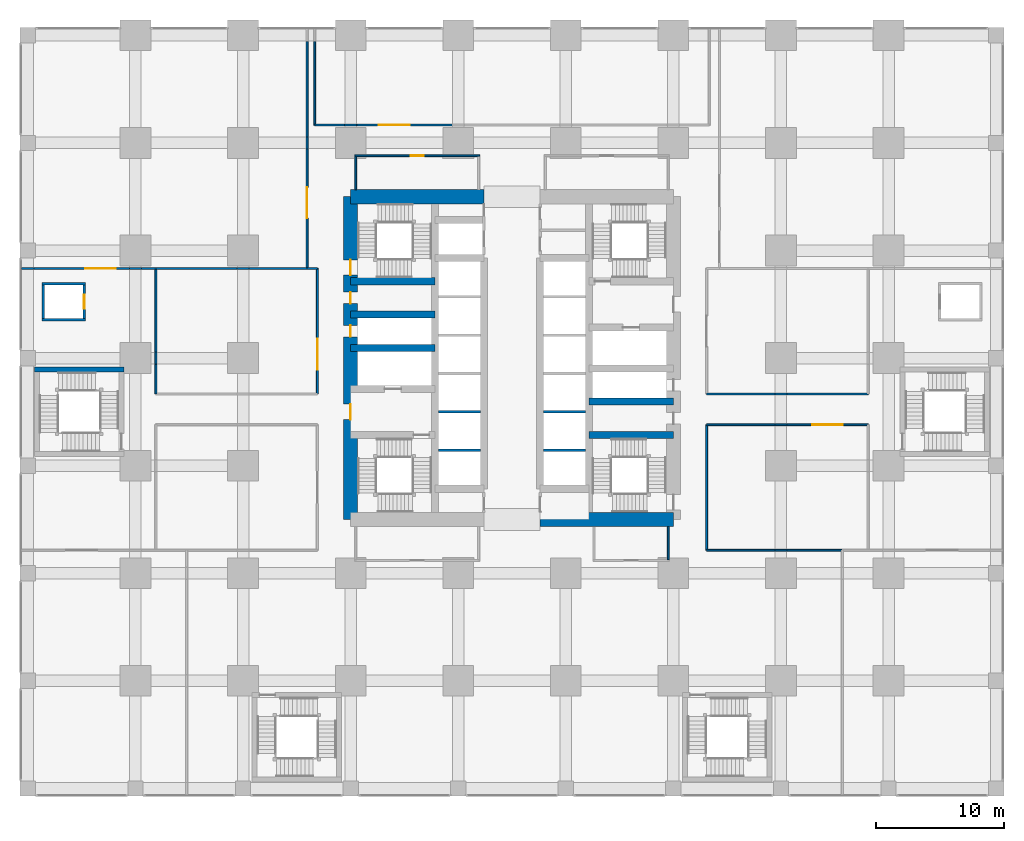
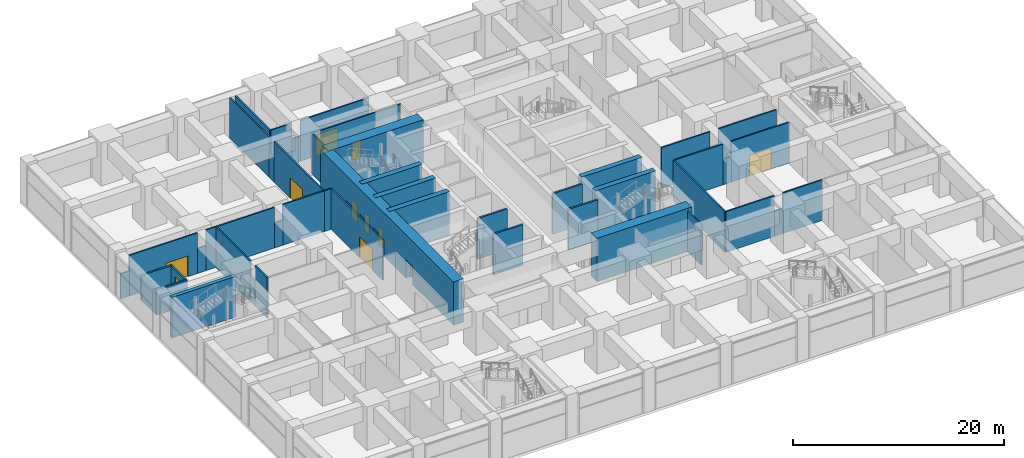
# One storey, part 37 of 49: 48 walls, 11 doors, 11 openings.
"""IFC4 building model written with IfcOpenShell, lengths in metres."""

import ifcopenshell
import ifcopenshell.guid

model = None  # the IFC model being written
_history = None  # IfcOwnerHistory: only IFC2X3 demands one
_inside = {}  # id of a spatial element -> (the spatial element, [elements in it])
_under = {}  # id of a project, library or spatial element -> (it, [spatial elements below it])
_declared = {}  # id of a project -> (the project, [libraries it declares])
_typed = {}  # id of a type object -> (the type object, [elements of that type])
_made_of = {}  # id of a material, layer set ... -> (it, [elements and type objects made of it])


def new_model(schema):
    """Start an empty IFC model of exactly this schema.

    Asked for "IFC4X3", IfcOpenShell would pick the latest addendum, in which some entities
    have other attributes; the version numbers below select the first issue.
    IFC2X3 requires an IfcOwnerHistory on every rooted entity: one is made here for all.
    """
    global model, _history
    if schema == "IFC4X3":
        model = ifcopenshell.file(schema_version=(4, 3, 0, 0))
    else:
        model = ifcopenshell.file(schema=schema)
    _inside.clear()
    _under.clear()
    _declared.clear()
    _typed.clear()
    _made_of.clear()
    _history = None
    if model.schema == "IFC2X3":
        org = make("IfcOrganization", Name="unknown")
        user = make(
            "IfcPersonAndOrganization",
            ThePerson=make("IfcPerson", FamilyName="unknown"),
            TheOrganization=org,
        )
        app = make(
            "IfcApplication",
            ApplicationDeveloper=org,
            Version="unknown",
            ApplicationFullName="unknown",
            ApplicationIdentifier="unknown",
        )
        _history = make(
            "IfcOwnerHistory",
            OwningUser=user,
            OwningApplication=app,
            ChangeAction="ADDED",
            CreationDate=0,
        )
    return model


def make(cls, **values):
    """One entity of the class cls with the attributes given. An attribute that is None is left unset."""
    return model.create_entity(
        cls, **{name: value for name, value in values.items() if value is not None}
    )


def rooted(cls, **values):
    """An entity with a GlobalId (a new one), such as an element, a storey or a relation."""
    return make(cls, GlobalId=ifcopenshell.guid.new(), OwnerHistory=_history, **values)


def si_unit(unit_type, name, prefix=None):
    """IfcSIUnit, for example si_unit("LENGTHUNIT", "METRE", prefix="MILLI")."""
    return make("IfcSIUnit", UnitType=unit_type, Prefix=prefix, Name=name)


def assignment(units):
    """IfcUnitAssignment: the units of a project."""
    return None if units is None else make("IfcUnitAssignment", Units=units)


def point(xyz):
    """IfcCartesianPoint."""
    return None if xyz is None else make("IfcCartesianPoint", Coordinates=xyz)


def direction(xyz):
    """IfcDirection."""
    return None if xyz is None else make("IfcDirection", DirectionRatios=xyz)


def frame(location, z_axis=None, x_axis=None):
    """IfcAxis2Placement3D, a coordinate frame: its origin and axes. An axis left out is left unset."""
    return make(
        "IfcAxis2Placement3D",
        Location=point(location),
        Axis=direction(z_axis),
        RefDirection=direction(x_axis),
    )


def frame_2d(location, x_axis=None):
    """IfcAxis2Placement2D, a coordinate frame in the plane: its origin and x axis."""
    return make(
        "IfcAxis2Placement2D", Location=point(location), RefDirection=direction(x_axis)
    )


def origin():
    """The frame at (0, 0, 0) with its axes left unset."""
    return frame((0.0, 0.0, 0.0))


def place(relative_to, where):
    """IfcLocalPlacement: puts the frame where relative to a parent placement (None: the world)."""
    return make(
        "IfcLocalPlacement", PlacementRelTo=relative_to, RelativePlacement=where
    )


def context(
    kind, dimensions, precision=None, world=None, true_north=None, identifier=None
):
    """IfcGeometricRepresentationContext, for example the 3D "Model" context."""
    return make(
        "IfcGeometricRepresentationContext",
        ContextIdentifier=identifier,
        ContextType=kind,
        CoordinateSpaceDimension=dimensions,
        Precision=precision,
        WorldCoordinateSystem=world,
        TrueNorth=true_north,
    )


def subcontext(parent, identifier, kind, view, scale=None):
    """IfcGeometricRepresentationSubContext, for example "Body" below "Model"."""
    return make(
        "IfcGeometricRepresentationSubContext",
        ContextIdentifier=identifier,
        ContextType=kind,
        ParentContext=parent,
        TargetScale=scale,
        TargetView=view,
    )


def project(units=None, contexts=None):
    """IfcProject with its units and contexts."""
    return rooted(
        "IfcProject",
        Name="project",
        RepresentationContexts=contexts,
        UnitsInContext=assignment(units),
    )


def spatial(cls, under=None, at=None, **own):
    """A site, building, storey or space (cls), placed at a placement, below another one or the project."""
    s = rooted(cls, ObjectPlacement=at, **own)
    if under is not None:
        _under.setdefault(under.id(), (under, []))[1].append(s)
    return s


def profile(cls, at=None, kind="AREA", **sizes):
    """A parametric profile (cls). Its sizes go by their IFC names, for example OverallWidth=200.0."""
    return make(cls, ProfileType=kind, Position=at, **sizes)


def rectangle(**sizes):
    """IfcRectangleProfileDef."""
    return profile("IfcRectangleProfileDef", **sizes)


def extrude(swept, where, along, depth):
    """IfcExtrudedAreaSolid: the profile swept, set in the frame where, extruded along a direction by depth."""
    return make(
        "IfcExtrudedAreaSolid",
        SweptArea=swept,
        Position=where,
        ExtrudedDirection=direction(along),
        Depth=depth,
    )


def shape(context_of_items, identifier, shape_type, items):
    """IfcShapeRepresentation: the items that make up one representation, for example the "Body"."""
    return make(
        "IfcShapeRepresentation",
        ContextOfItems=context_of_items,
        RepresentationIdentifier=identifier,
        RepresentationType=shape_type,
        Items=items,
    )


def material(Name=None, Category=None):
    """IfcMaterial."""
    return make("IfcMaterial", Name=Name, Category=Category)


def layer(
    of_material, thickness, ventilated=None, Name=None, Category=None, Priority=None
):
    """IfcMaterialLayer: one layer of a wall or slab, of a material (None: an air gap)."""
    return make(
        "IfcMaterialLayer",
        Material=of_material,
        LayerThickness=thickness,
        IsVentilated=ventilated,
        Name=Name,
        Category=Category,
        Priority=Priority,
    )


def layer_set(layers, Name=None):
    """IfcMaterialLayerSet."""
    return make("IfcMaterialLayerSet", MaterialLayers=layers, LayerSetName=Name)


def made_of(thing, what):
    """Note that an element or type object is made of a material, layer set ...; save() writes the relation."""
    if what is not None:
        _made_of.setdefault(what.id(), (what, []))[1].append(thing)
    return thing


def type_object(cls, material=None, **own):
    """A type object (cls), such as IfcWallType, which elements share."""
    return made_of(rooted(cls, **own), material)


def element(
    cls,
    number,
    at=None,
    inside=None,
    cuts=None,
    type_object=None,
    material=None,
    context=None,
    identifier="Body",
    shape_type=None,
    held_by="IfcProductDefinitionShape",
    body=None,
    shapes=None,
    **own,
):
    """One element of the class cls, such as IfcWall. Its Tag is "e" and its number.

    at: its placement. inside: the storey or other place that contains it. cuts: it is an
    opening in that element (IfcRelVoidsElement). A single representation is given by context,
    identifier, shape_type and body (its items); several are given by shapes. held_by: the class
    of the entity that holds the representations. save() writes the other relations.
    """
    e = rooted(cls, Tag="e%d" % number, ObjectPlacement=at, **own)
    if body is not None:
        shapes = [shape(context, identifier, shape_type, body)]
    if shapes is not None:
        e.Representation = make(held_by, Representations=shapes)
    if inside is not None:
        _inside.setdefault(inside.id(), (inside, []))[1].append(e)
    if cuts is not None:
        rooted(
            "IfcRelVoidsElement", RelatingBuildingElement=cuts, RelatedOpeningElement=e
        )
    if type_object is not None:
        _typed.setdefault(type_object.id(), (type_object, []))[1].append(e)
    return made_of(e, material)


def fill(opening, filler):
    """IfcRelFillsElement: the door or window that sits in an opening."""
    return rooted(
        "IfcRelFillsElement",
        RelatingOpeningElement=opening,
        RelatedBuildingElement=filler,
    )


def aggregate(whole, parts):
    """IfcRelAggregates: a whole, such as a stair, and the parts it consists of."""
    return rooted("IfcRelAggregates", RelatingObject=whole, RelatedObjects=parts)


def save(model, path):
    """Write the relations noted so far, then the file.

    IfcRelAggregates (storeys below a building ...), IfcRelContainedInSpatialStructure (elements
    in a storey), IfcRelDefinesByType, IfcRelAssociatesMaterial and IfcRelDeclares: one each for
    every whole, place, type object, material and project.
    """
    for whole, parts in _under.values():
        aggregate(whole, parts)
    for where, things in _inside.values():
        rooted(
            "IfcRelContainedInSpatialStructure",
            RelatedElements=things,
            RelatingStructure=where,
        )
    for kind, things in _typed.values():
        rooted("IfcRelDefinesByType", RelatedObjects=things, RelatingType=kind)
    for what, things in _made_of.values():
        rooted("IfcRelAssociatesMaterial", RelatedObjects=things, RelatingMaterial=what)
    for by, libraries in _declared.values():
        rooted("IfcRelDeclares", RelatingContext=by, RelatedDefinitions=libraries)
    model.write(path)


model = new_model("IFC4")

# Units and contexts
model_context = context("Model", 3, precision=1e-05, world=origin(), true_north=direction((0.0, 1.0)))
body_context = subcontext(model_context, "Body", "Model", "MODEL_VIEW")
ifc_project = project(units=[si_unit("LENGTHUNIT", "METRE"), si_unit("AREAUNIT", "SQUARE_METRE"), si_unit("VOLUMEUNIT", "CUBIC_METRE"), si_unit("PLANEANGLEUNIT", "RADIAN"), si_unit("MASSUNIT", "GRAM", prefix="KILO")], contexts=[model_context])

# Site, building, storey
site_placement = place(None, origin())
site = spatial("IfcSite", under=ifc_project, at=site_placement, CompositionType="ELEMENT")
building_placement = place(site_placement, origin())
building = spatial("IfcBuilding", under=site, at=building_placement, Name="Rekha Terrace Tower", CompositionType="ELEMENT")
storey_placement = place(building_placement, frame((0.0, 0.0, 10.39990234375)))
storey = spatial("IfcBuildingStorey", under=building, at=storey_placement, Name="L02", CompositionType="ELEMENT", Elevation=10.39990234375)

# Walls
ifc_material_1 = material(Name="Concrete M70", Category="concrete")
ifc_layer_1 = layer(ifc_material_1, 0.550048828125)
ifc_layer_set_1 = layer_set([ifc_layer_1], Name="Concrete M70")
wall_type_1 = type_object("IfcWallType", Name="CI1 550 core internal shear wall", PredefinedType="SHEAR", material=ifc_layer_set_1)
for number, where, z_axis, x_axis, name in (
    (1, (25.199951171875, 34.39990234375, 0.0), (0.0, 0.0, 1.0), (1.0, 0.0, 0.0), "Core wall Y344W L02"),
    (2, (25.199951171875, 37.0, 0.0), (0.0, 0.0, 1.0), (1.0, 0.0, 0.0), "Core wall Y370W L02"),
    (3, (25.199951171875, 39.60009765625, 0.0), (0.0, 0.0, 1.0), (1.0, 0.0, 0.0), "Core wall Y396W L02"),
):
    element("IfcWall", number, at=place(storey_placement, frame(where, z_axis=z_axis, x_axis=x_axis)), inside=storey, type_object=wall_type_1, Name=name, PredefinedType="SHEAR", context=body_context, shape_type="SweptSolid", body=[
        extrude(rectangle(XDim=6.60009765625, YDim=0.550048828125, at=frame_2d((3.300048828125, 0.0))), origin(), (0.0, 0.0, 1.0), 5.0),
    ])
for number, where, z_axis, x_axis, name in (
    (4, (43.800048828125, 27.60009765625, 0.0), (0.0, 0.0, 1.0), (1.0, 0.0, 0.0), "Core wall Y276E L02"),
    (5, (43.800048828125, 30.199951171875, 0.0), (0.0, 0.0, 1.0), (1.0, 0.0, 0.0), "Core wall Y302E L02"),
):
    element("IfcWall", number, at=place(storey_placement, frame(where, z_axis=z_axis, x_axis=x_axis)), inside=storey, type_object=wall_type_1, Name=name, PredefinedType="SHEAR", context=body_context, shape_type="SweptSolid", body=[
        extrude(rectangle(XDim=6.599853515625, YDim=0.550048828125, at=frame_2d((3.2998046875, 0.0))), origin(), (0.0, 0.0, 1.0), 5.0),
    ])
ifc_layer_2 = layer(ifc_material_1, 1.10009765625)
ifc_layer_set_2 = layer_set([ifc_layer_2], Name="Concrete M70")
wall_type_2 = type_object("IfcWallType", Name="SW1 1100 core outer shear wall", PredefinedType="SHEAR", material=ifc_layer_set_2)
wall_1_placement = place(storey_placement, frame((40.0, 21.0, 0.0), z_axis=(0.0, 0.0, 1.0), x_axis=(1.0, 0.0, 0.0)))
element("IfcWall", 6, at=wall_1_placement, inside=storey, type_object=wall_type_2, Name="Core wall S2 L02", PredefinedType="SHEAR", context=body_context, shape_type="SweptSolid", body=[
    extrude(rectangle(XDim=10.39990234375, YDim=1.10009765625, at=frame_2d((5.199951171875, 0.0))), origin(), (0.0, 0.0, 1.0), 5.0),
])
wall_2_placement = place(storey_placement, frame((25.199951171875, 46.199951171875, 0.0), z_axis=(0.0, 0.0, 1.0), x_axis=(1.0, 0.0, 0.0)))
element("IfcWall", 7, at=wall_2_placement, inside=storey, type_object=wall_type_2, Name="Core wall N1 L02", PredefinedType="SHEAR", context=body_context, shape_type="SweptSolid", body=[
    extrude(rectangle(XDim=10.400146484375, YDim=1.10009765625, at=frame_2d((5.2001953125, 0.0))), origin(), (0.0, 0.0, 1.0), 5.0),
])

# Wall, openings, doors
wall_3_placement = place(storey_placement, frame((25.199951171875, 21.0, 0.0), z_axis=(0.0, 0.0, 1.0), x_axis=(0.0, 1.0, 0.0)))
wall_3 = element("IfcWall", 8, at=wall_3_placement, inside=storey, type_object=wall_type_2, Name="Core wall W L02", PredefinedType="SHEAR", context=body_context, shape_type="SweptSolid", body=[
    extrude(rectangle(XDim=25.199951171875, YDim=1.10009765625, at=frame_2d((12.60009765625, 0.0))), origin(), (0.0, 0.0, 1.0), 5.0),
])
opening_1_placement = place(wall_3_placement, frame((7.800048828125, 0.0, 0.0)))
opening_1 = element("IfcOpeningElement", 9, at=opening_1_placement, cuts=wall_3, Name="Opening D2", PredefinedType="OPENING", context=body_context, shape_type="SweptSolid", body=[
    extrude(rectangle(XDim=1.199951171875, YDim=2.10009765625, at=frame_2d((0.60009765625, 1.050048828125))), frame((0.0, 0.56005859375, 0.0), z_axis=(0.0, -1.0, 0.0), x_axis=(1.0, 0.0, 0.0)), (0.0, 0.0, 1.0), 1.1201171875),
])
opening_2_placement = place(wall_3_placement, frame((14.25, 0.0, 0.0)))
opening_2 = element("IfcOpeningElement", 10, at=opening_2_placement, cuts=wall_3, Name="Opening D5", PredefinedType="OPENING", context=body_context, shape_type="SweptSolid", body=[
    extrude(rectangle(XDim=0.89990234375, YDim=2.10009765625, at=frame_2d((0.449951171875, 1.050048828125))), frame((0.0, 0.56005859375, 0.0), z_axis=(0.0, -1.0, 0.0), x_axis=(1.0, 0.0, 0.0)), (0.0, 0.0, 1.0), 1.1201171875),
])
opening_3_placement = place(wall_3_placement, frame((16.85009765625, 0.0, 0.0)))
opening_3 = element("IfcOpeningElement", 11, at=opening_3_placement, cuts=wall_3, Name="Opening D5", PredefinedType="OPENING", context=body_context, shape_type="SweptSolid", body=[
    extrude(rectangle(XDim=0.89990234375, YDim=2.10009765625, at=frame_2d((0.449951171875, 1.050048828125))), frame((0.0, 0.56005859375, 0.0), z_axis=(0.0, -1.0, 0.0), x_axis=(1.0, 0.0, 0.0)), (0.0, 0.0, 1.0), 1.1201171875),
])
opening_4_placement = place(wall_3_placement, frame((19.074951171875, 0.0, 0.0)))
opening_4 = element("IfcOpeningElement", 12, at=opening_4_placement, cuts=wall_3, Name="Opening D1", PredefinedType="OPENING", context=body_context, shape_type="SweptSolid", body=[
    extrude(rectangle(XDim=1.199951171875, YDim=2.10009765625, at=frame_2d((0.60009765625, 1.050048828125))), frame((0.0, 0.56005859375, 0.0), z_axis=(0.0, -1.0, 0.0), x_axis=(1.0, 0.0, 0.0)), (0.0, 0.0, 1.0), 1.1201171875),
])
ifc_material_2 = material(Name="Steel fire door", Category="steel")
door_type_1 = type_object("IfcDoorType", Name="D1 1200x2100 stair fire door", OperationType="SINGLE_SWING_RIGHT", PredefinedType="DOOR", material=ifc_material_2)
door_1_placement = place(opening_4_placement, origin())
door_1 = element("IfcDoor", 13, at=door_1_placement, inside=storey, type_object=door_type_1, Name="Stair ST4 door L02", OperationType="SINGLE_SWING_RIGHT", OverallHeight=2.10009765625, OverallWidth=1.199951171875, PredefinedType="DOOR", context=body_context, shape_type="SweptSolid", body=[
    extrude(rectangle(XDim=1.199951171875, YDim=2.10009765625, at=frame_2d((0.60009765625, 1.050048828125))), frame((0.0, 0.02490234375, 0.0), z_axis=(0.0, -1.0, 0.0), x_axis=(1.0, 0.0, 0.0)), (0.0, 0.0, 1.0), 0.050048828125),
])
fill(opening_4, door_1)
door_type_2 = type_object("IfcDoorType", Name="D2 1200x2100 firefighting lobby door", OperationType="SINGLE_SWING_LEFT", PredefinedType="DOOR", material=ifc_material_2)
door_2_placement = place(opening_1_placement, origin())
door_2 = element("IfcDoor", 14, at=door_2_placement, inside=storey, type_object=door_type_2, Name="Door flb1 L02", OperationType="SINGLE_SWING_LEFT", OverallHeight=2.10009765625, OverallWidth=1.199951171875, PredefinedType="DOOR", context=body_context, shape_type="SweptSolid", body=[
    extrude(rectangle(XDim=1.199951171875, YDim=2.10009765625, at=frame_2d((0.60009765625, 1.050048828125))), frame((0.0, 0.02490234375, 0.0), z_axis=(0.0, -1.0, 0.0), x_axis=(1.0, 0.0, 0.0)), (0.0, 0.0, 1.0), 0.050048828125),
])
fill(opening_1, door_2)
door_type_3 = type_object("IfcDoorType", Name="D5 900x2100 riser access door", OperationType="SINGLE_SWING_LEFT", PredefinedType="DOOR", material=ifc_material_2)
door_3_placement = place(opening_2_placement, origin())
door_3 = element("IfcDoor", 15, at=door_3_placement, inside=storey, type_object=door_type_3, Name="Door rs1 L02", OperationType="SINGLE_SWING_LEFT", OverallHeight=2.10009765625, OverallWidth=0.89990234375, PredefinedType="DOOR", context=body_context, shape_type="SweptSolid", body=[
    extrude(rectangle(XDim=0.89990234375, YDim=2.10009765625, at=frame_2d((0.449951171875, 1.050048828125))), frame((0.0, 0.02490234375, 0.0), z_axis=(0.0, -1.0, 0.0), x_axis=(1.0, 0.0, 0.0)), (0.0, 0.0, 1.0), 0.050048828125),
])
fill(opening_2, door_3)
door_4_placement = place(opening_3_placement, origin())
door_4 = element("IfcDoor", 16, at=door_4_placement, inside=storey, type_object=door_type_3, Name="Door elw L02", OperationType="SINGLE_SWING_LEFT", OverallHeight=2.10009765625, OverallWidth=0.89990234375, PredefinedType="DOOR", context=body_context, shape_type="SweptSolid", body=[
    extrude(rectangle(XDim=0.89990234375, YDim=2.10009765625, at=frame_2d((0.449951171875, 1.050048828125))), frame((0.0, 0.02490234375, 0.0), z_axis=(0.0, -1.0, 0.0), x_axis=(1.0, 0.0, 0.0)), (0.0, 0.0, 1.0), 0.050048828125),
])
fill(opening_3, door_4)

# Wall, opening, door
ifc_material_3 = material(Name="Concrete block masonry, 1 hour", Category="masonry")
ifc_layer_3 = layer(ifc_material_3, 0.14990234375)
ifc_layer_set_3 = layer_set([ifc_layer_3], Name="Concrete block masonry, 1 hour")
wall_type_3 = type_object("IfcWallType", Name="WP2 150 tenancy partition", PredefinedType="PARTITIONING", material=ifc_layer_set_3)
wall_4_placement = place(storey_placement, frame((25.52490234375, 49.39990234375, 0.0), z_axis=(0.0, 0.0, 1.0), x_axis=(1.0, 0.0, 0.0)))
wall_4 = element("IfcWall", 17, at=wall_4_placement, inside=storey, type_object=wall_type_3, Name="Women's WC wall L02", PredefinedType="PARTITIONING", context=body_context, shape_type="SweptSolid", body=[
    extrude(rectangle(XDim=9.75, YDim=0.14990234375, at=frame_2d((4.875, 0.0))), origin(), (0.0, 0.0, 1.0), 4.7001953125),
])
opening_5_placement = place(wall_4_placement, frame((4.375, 0.0, 0.0)))
opening_5 = element("IfcOpeningElement", 18, at=opening_5_placement, cuts=wall_4, Name="Opening D3", PredefinedType="OPENING", context=body_context, shape_type="SweptSolid", body=[
    extrude(rectangle(XDim=1.0, YDim=2.10009765625, at=frame_2d((0.5, 1.050048828125))), frame((0.0, 0.0849609375, 0.0), z_axis=(0.0, -1.0, 0.0), x_axis=(1.0, 0.0, 0.0)), (0.0, 0.0, 1.0), 0.169921875),
])
ifc_material_4 = material(Name="Laminated timber fire door", Category="wood")
door_type_4 = type_object("IfcDoorType", Name="D3 1000x2100 WC door", OperationType="SINGLE_SWING_LEFT", PredefinedType="DOOR", material=ifc_material_4)
door_5_placement = place(opening_5_placement, origin())
door_5 = element("IfcDoor", 19, at=door_5_placement, inside=storey, type_object=door_type_4, Name="Door women's wc L02", OperationType="SINGLE_SWING_LEFT", OverallHeight=2.10009765625, OverallWidth=1.0, PredefinedType="DOOR", context=body_context, shape_type="SweptSolid", body=[
    extrude(rectangle(XDim=1.0, YDim=2.10009765625, at=frame_2d((0.5, 1.050048828125))), frame((0.0, 0.02490234375, 0.0), z_axis=(0.0, -1.0, 0.0), x_axis=(1.0, 0.0, 0.0)), (0.0, 0.0, 1.0), 0.050048828125),
])
fill(opening_5, door_5)

# Walls
for number, where, z_axis, x_axis, name in (
    (20, (25.60009765625, 46.75, 0.0), (0.0, 0.0, 1.0), (0.0, 1.0, 0.0), "Women's WC wall L02"),
    (21, (50.0, 17.875, 0.0), (0.0, 0.0, 1.0), (0.0, 1.0, 0.0), "Men's WC wall L02"),
):
    element("IfcWall", number, at=place(storey_placement, frame(where, z_axis=z_axis, x_axis=x_axis)), inside=storey, type_object=wall_type_3, Name=name, PredefinedType="PARTITIONING", context=body_context, shape_type="SweptSolid", body=[
        extrude(rectangle(XDim=2.574951171875, YDim=0.14990234375, at=frame_2d((1.28759765625, 0.0))), origin(), (0.0, 0.0, 1.0), 4.7001953125),
    ])
wall_5_placement = place(storey_placement, frame((21.800048828125, 58.340087890625, 0.0), z_axis=(0.0, 0.0, 1.0), x_axis=(0.0, -1.0, 0.0)))
element("IfcWall", 22, at=wall_5_placement, inside=storey, type_object=wall_type_3, Name="Partition L02-02", PredefinedType="PARTITIONING", context=body_context, shape_type="SweptSolid", body=[
    extrude(rectangle(XDim=7.47998046875, YDim=0.14990234375, at=frame_2d((3.739990234375, 0.0))), origin(), (0.0, 0.0, 1.0), 4.7001953125),
])
wall_6_placement = place(storey_placement, frame((21.800048828125, 50.860107421875, 0.0), z_axis=(0.0, 0.0, 1.0), x_axis=(0.0, -1.0, 0.0)))
element("IfcWall", 23, at=wall_6_placement, inside=storey, type_object=wall_type_3, Name="Partition L02-02", PredefinedType="PARTITIONING", context=body_context, shape_type="SweptSolid", body=[
    extrude(rectangle(XDim=0.920166015625, YDim=0.14990234375, at=frame_2d((0.4599609375, 0.0))), origin(), (0.0, 0.0, 1.0), 2.900146484375),
])

# Wall, opening, door
wall_7_placement = place(storey_placement, frame((21.800048828125, 49.93994140625, 0.0), z_axis=(0.0, 0.0, 1.0), x_axis=(0.0, -1.0, 0.0)))
wall_7 = element("IfcWall", 24, at=wall_7_placement, inside=storey, type_object=wall_type_3, Name="Partition L02-02", PredefinedType="PARTITIONING", context=body_context, shape_type="SweptSolid", body=[
    extrude(rectangle(XDim=9.33984375, YDim=0.14990234375, at=frame_2d((4.669921875, 0.0))), origin(), (0.0, 0.0, 1.0), 4.7001953125),
])
opening_6_placement = place(wall_7_placement, frame((3.0048828125, 0.0, 0.0)))
opening_6 = element("IfcOpeningElement", 25, at=opening_6_placement, cuts=wall_7, Name="Opening D7", PredefinedType="OPENING", context=body_context, shape_type="SweptSolid", body=[
    extrude(rectangle(XDim=2.39990234375, YDim=2.39990234375, at=frame_2d((1.199951171875, 1.199951171875))), frame((0.0, 0.0849609375, 0.0), z_axis=(0.0, -1.0, 0.0), x_axis=(1.0, 0.0, 0.0)), (0.0, 0.0, 1.0), 0.169921875),
])
ifc_material_5 = material(Name="Glazed aluminium door", Category="aluminium")
door_type_5 = type_object("IfcDoorType", Name="D7 2400x2400 shopfront double door", OperationType="DOUBLE_DOOR_SINGLE_SWING", PredefinedType="DOOR", material=ifc_material_5)
door_6_placement = place(opening_6_placement, origin())
door_6 = element("IfcDoor", 26, at=door_6_placement, inside=storey, type_object=door_type_5, Name="Door retail unit 9 L02", OperationType="DOUBLE_DOOR_SINGLE_SWING", OverallHeight=2.39990234375, OverallWidth=2.39990234375, PredefinedType="DOOR", context=body_context, shape_type="SweptSolid", body=[
    extrude(rectangle(XDim=2.39990234375, YDim=2.39990234375, at=frame_2d((1.199951171875, 1.199951171875))), frame((0.0, 0.02490234375, 0.0), z_axis=(0.0, -1.0, 0.0), x_axis=(1.0, 0.0, 0.0)), (0.0, 0.0, 1.0), 0.050048828125),
])
fill(opening_6, door_6)

# Walls
wall_8_placement = place(storey_placement, frame((21.800048828125, 40.60009765625, 0.0), z_axis=(0.0, 0.0, 1.0), x_axis=(-1.0, 0.0, 0.0)))
element("IfcWall", 27, at=wall_8_placement, inside=storey, type_object=wall_type_3, Name="Partition L02-02", PredefinedType="PARTITIONING", context=body_context, shape_type="SweptSolid", body=[
    extrude(rectangle(XDim=4.5400390625, YDim=0.14990234375, at=frame_2d((2.27001953125, 0.0))), origin(), (0.0, 0.0, 1.0), 4.7001953125),
])
wall_9_placement = place(storey_placement, frame((17.260009765625, 40.60009765625, 0.0), z_axis=(0.0, 0.0, 1.0), x_axis=(-1.0, 0.0, 0.0)))
element("IfcWall", 28, at=wall_9_placement, inside=storey, type_object=wall_type_3, Name="Partition L02-02", PredefinedType="PARTITIONING", context=body_context, shape_type="SweptSolid", body=[
    extrude(rectangle(XDim=0.919921875, YDim=0.14990234375, at=frame_2d((0.4599609375, 0.0))), origin(), (0.0, 0.0, 1.0), 2.900146484375),
])
wall_10_placement = place(storey_placement, frame((16.340087890625, 40.60009765625, 0.0), z_axis=(0.0, 0.0, 1.0), x_axis=(-1.0, 0.0, 0.0)))
element("IfcWall", 29, at=wall_10_placement, inside=storey, type_object=wall_type_3, Name="Partition L02-02", PredefinedType="PARTITIONING", context=body_context, shape_type="SweptSolid", body=[
    extrude(rectangle(XDim=7.47998046875, YDim=0.14990234375, at=frame_2d((3.739990234375, 0.0))), origin(), (0.0, 0.0, 1.0), 4.7001953125),
])
wall_11_placement = place(storey_placement, frame((8.860107421875, 40.60009765625, 0.0), z_axis=(0.0, 0.0, 1.0), x_axis=(-1.0, 0.0, 0.0)))
element("IfcWall", 30, at=wall_11_placement, inside=storey, type_object=wall_type_3, Name="Partition L02-02", PredefinedType="PARTITIONING", context=body_context, shape_type="SweptSolid", body=[
    extrude(rectangle(XDim=0.920166015625, YDim=0.14990234375, at=frame_2d((0.4599609375, 0.0))), origin(), (0.0, 0.0, 1.0), 2.900146484375),
])

# Wall, opening, door
wall_12_placement = place(storey_placement, frame((7.93994140625, 40.60009765625, 0.0), z_axis=(0.0, 0.0, 1.0), x_axis=(-1.0, 0.0, 0.0)))
wall_12 = element("IfcWall", 31, at=wall_12_placement, inside=storey, type_object=wall_type_3, Name="Partition L02-02", PredefinedType="PARTITIONING", context=body_context, shape_type="SweptSolid", body=[
    extrude(rectangle(XDim=7.47998046875, YDim=0.14990234375, at=frame_2d((3.739990234375, 0.0))), origin(), (0.0, 0.0, 1.0), 4.7001953125),
])
opening_7_placement = place(wall_12_placement, frame((1.074951171875, 0.0, 0.0)))
opening_7 = element("IfcOpeningElement", 32, at=opening_7_placement, cuts=wall_12, Name="Opening D7", PredefinedType="OPENING", context=body_context, shape_type="SweptSolid", body=[
    extrude(rectangle(XDim=2.39990234375, YDim=2.39990234375, at=frame_2d((1.199951171875, 1.199951171875))), frame((0.0, 0.0849609375, 0.0), z_axis=(0.0, -1.0, 0.0), x_axis=(1.0, 0.0, 0.0)), (0.0, 0.0, 1.0), 0.169921875),
])
door_7_placement = place(opening_7_placement, origin())
door_7 = element("IfcDoor", 33, at=door_7_placement, inside=storey, type_object=door_type_5, Name="Door retail unit 9 L02", OperationType="DOUBLE_DOOR_SINGLE_SWING", OverallHeight=2.39990234375, OverallWidth=2.39990234375, PredefinedType="DOOR", context=body_context, shape_type="SweptSolid", body=[
    extrude(rectangle(XDim=2.39990234375, YDim=2.39990234375, at=frame_2d((1.199951171875, 1.199951171875))), frame((0.0, 0.02490234375, 0.0), z_axis=(0.0, -1.0, 0.0), x_axis=(1.0, 0.0, 0.0)), (0.0, 0.0, 1.0), 0.050048828125),
])
fill(opening_7, door_7)

# Wall
wall_13_placement = place(storey_placement, frame((0.4599609375, 40.60009765625, 0.0), z_axis=(0.0, 0.0, 1.0), x_axis=(-1.0, 0.0, 0.0)))
element("IfcWall", 34, at=wall_13_placement, inside=storey, type_object=wall_type_3, Name="Partition L02-02", PredefinedType="PARTITIONING", context=body_context, shape_type="SweptSolid", body=[
    extrude(rectangle(XDim=0.949951171875, YDim=0.14990234375, at=frame_2d((0.47509765625, 0.0))), origin(), (0.0, 0.0, 1.0), 2.900146484375),
])

# Wall, opening, door
wall_14_placement = place(storey_placement, frame((33.139892578125, 51.800048828125, 0.0), z_axis=(0.0, 0.0, 1.0), x_axis=(-1.0, 0.0, 0.0)))
wall_14 = element("IfcWall", 35, at=wall_14_placement, inside=storey, type_object=wall_type_3, Name="Partition L02-06", PredefinedType="PARTITIONING", context=body_context, shape_type="SweptSolid", body=[
    extrude(rectangle(XDim=7.47998046875, YDim=0.14990234375, at=frame_2d((3.739990234375, 0.0))), origin(), (0.0, 0.0, 1.0), 4.7001953125),
])
opening_8_placement = place(wall_14_placement, frame((3.340087890625, 0.0, 0.0)))
opening_8 = element("IfcOpeningElement", 36, at=opening_8_placement, cuts=wall_14, Name="Opening D7", PredefinedType="OPENING", context=body_context, shape_type="SweptSolid", body=[
    extrude(rectangle(XDim=2.39990234375, YDim=2.39990234375, at=frame_2d((1.199951171875, 1.199951171875))), frame((0.0, 0.0849609375, 0.0), z_axis=(0.0, -1.0, 0.0), x_axis=(1.0, 0.0, 0.0)), (0.0, 0.0, 1.0), 0.169921875),
])
door_8_placement = place(opening_8_placement, origin())
door_8 = element("IfcDoor", 37, at=door_8_placement, inside=storey, type_object=door_type_5, Name="Door retail unit 13 L02", OperationType="DOUBLE_DOOR_SINGLE_SWING", OverallHeight=2.39990234375, OverallWidth=2.39990234375, PredefinedType="DOOR", context=body_context, shape_type="SweptSolid", body=[
    extrude(rectangle(XDim=2.39990234375, YDim=2.39990234375, at=frame_2d((1.199951171875, 1.199951171875))), frame((0.0, 0.02490234375, 0.0), z_axis=(0.0, -1.0, 0.0), x_axis=(1.0, 0.0, 0.0)), (0.0, 0.0, 1.0), 0.050048828125),
])
fill(opening_8, door_8)

# Walls
wall_15_placement = place(storey_placement, frame((25.659912109375, 51.800048828125, 0.0), z_axis=(0.0, 0.0, 1.0), x_axis=(-1.0, 0.0, 0.0)))
element("IfcWall", 38, at=wall_15_placement, inside=storey, type_object=wall_type_3, Name="Partition L02-06", PredefinedType="PARTITIONING", context=body_context, shape_type="SweptSolid", body=[
    extrude(rectangle(XDim=0.919921875, YDim=0.14990234375, at=frame_2d((0.4599609375, 0.0))), origin(), (0.0, 0.0, 1.0), 2.900146484375),
])
wall_16_placement = place(storey_placement, frame((24.739990234375, 51.800048828125, 0.0), z_axis=(0.0, 0.0, 1.0), x_axis=(-1.0, 0.0, 0.0)))
element("IfcWall", 39, at=wall_16_placement, inside=storey, type_object=wall_type_3, Name="Partition L02-06", PredefinedType="PARTITIONING", context=body_context, shape_type="SweptSolid", body=[
    extrude(rectangle(XDim=2.340087890625, YDim=0.14990234375, at=frame_2d((1.169921875, 0.0))), origin(), (0.0, 0.0, 1.0), 4.7001953125),
])
wall_17_placement = place(storey_placement, frame((22.39990234375, 51.800048828125, 0.0), z_axis=(0.0, 0.0, 1.0), x_axis=(0.0, 1.0, 0.0)))
element("IfcWall", 40, at=wall_17_placement, inside=storey, type_object=wall_type_3, Name="Partition L02-06", PredefinedType="PARTITIONING", context=body_context, shape_type="SweptSolid", body=[
    extrude(rectangle(XDim=6.5400390625, YDim=0.14990234375, at=frame_2d((3.27001953125, 0.0))), origin(), (0.0, 0.0, 1.0), 4.7001953125),
])

# Wall, opening, door
wall_18_placement = place(storey_placement, frame((22.60009765625, 40.60009765625, 0.0), z_axis=(0.0, 0.0, 1.0), x_axis=(0.0, -1.0, 0.0)))
wall_18 = element("IfcWall", 41, at=wall_18_placement, inside=storey, type_object=wall_type_3, Name="Partition L02-08", PredefinedType="PARTITIONING", context=body_context, shape_type="SweptSolid", body=[
    extrude(rectangle(XDim=9.800048828125, YDim=0.14990234375, at=frame_2d((4.89990234375, 0.0))), origin(), (0.0, 0.0, 1.0), 4.7001953125),
])
opening_9_placement = place(wall_18_placement, frame((5.5, 0.0, 0.0)))
opening_9 = element("IfcOpeningElement", 42, at=opening_9_placement, cuts=wall_18, Name="Opening D7", PredefinedType="OPENING", context=body_context, shape_type="SweptSolid", body=[
    extrude(rectangle(XDim=2.39990234375, YDim=2.39990234375, at=frame_2d((1.199951171875, 1.199951171875))), frame((0.0, 0.0849609375, 0.0), z_axis=(0.0, -1.0, 0.0), x_axis=(1.0, 0.0, 0.0)), (0.0, 0.0, 1.0), 0.169921875),
])
door_9_placement = place(opening_9_placement, origin())
door_9 = element("IfcDoor", 43, at=door_9_placement, inside=storey, type_object=door_type_5, Name="Door retail kiosk 4 L02", OperationType="DOUBLE_DOOR_SINGLE_SWING", OverallHeight=2.39990234375, OverallWidth=2.39990234375, PredefinedType="DOOR", context=body_context, shape_type="SweptSolid", body=[
    extrude(rectangle(XDim=2.39990234375, YDim=2.39990234375, at=frame_2d((1.199951171875, 1.199951171875))), frame((0.0, 0.02490234375, 0.0), z_axis=(0.0, -1.0, 0.0), x_axis=(1.0, 0.0, 0.0)), (0.0, 0.0, 1.0), 0.050048828125),
])
fill(opening_9, door_9)

# Walls
wall_19_placement = place(storey_placement, frame((10.0, 30.800048828125, 0.0), z_axis=(0.0, 0.0, 1.0), x_axis=(0.0, 1.0, 0.0)))
element("IfcWall", 44, at=wall_19_placement, inside=storey, type_object=wall_type_3, Name="Partition L02-08", PredefinedType="PARTITIONING", context=body_context, shape_type="SweptSolid", body=[
    extrude(rectangle(XDim=2.33984375, YDim=0.14990234375, at=frame_2d((1.169921875, 0.0))), origin(), (0.0, 0.0, 1.0), 4.7001953125),
])
wall_20_placement = place(storey_placement, frame((10.0, 33.139892578125, 0.0), z_axis=(0.0, 0.0, 1.0), x_axis=(0.0, 1.0, 0.0)))
element("IfcWall", 45, at=wall_20_placement, inside=storey, type_object=wall_type_3, Name="Partition L02-08", PredefinedType="PARTITIONING", context=body_context, shape_type="SweptSolid", body=[
    extrude(rectangle(XDim=0.920166015625, YDim=0.14990234375, at=frame_2d((0.4599609375, 0.0))), origin(), (0.0, 0.0, 1.0), 2.900146484375),
])
wall_21_placement = place(storey_placement, frame((10.0, 34.06005859375, 0.0), z_axis=(0.0, 0.0, 1.0), x_axis=(0.0, 1.0, 0.0)))
element("IfcWall", 46, at=wall_21_placement, inside=storey, type_object=wall_type_3, Name="Partition L02-08", PredefinedType="PARTITIONING", context=body_context, shape_type="SweptSolid", body=[
    extrude(rectangle(XDim=6.46484375, YDim=0.14990234375, at=frame_2d((3.232421875, 0.0))), origin(), (0.0, 0.0, 1.0), 4.7001953125),
])
wall_22_placement = place(storey_placement, frame((21.800048828125, 40.60009765625, 0.0), z_axis=(0.0, 0.0, 1.0), x_axis=(1.0, 0.0, 0.0)))
element("IfcWall", 47, at=wall_22_placement, inside=storey, type_object=wall_type_3, Name="Partition L02-08", PredefinedType="PARTITIONING", context=body_context, shape_type="SweptSolid", body=[
    extrude(rectangle(XDim=0.800048828125, YDim=0.14990234375, at=frame_2d((0.39990234375, 0.0))), origin(), (0.0, 0.0, 1.0), 4.7001953125),
])
wall_23_placement = place(storey_placement, frame((53.0, 18.60009765625, 0.0), z_axis=(0.0, 0.0, 1.0), x_axis=(0.0, 1.0, 0.0)))
element("IfcWall", 48, at=wall_23_placement, inside=storey, type_object=wall_type_3, Name="Partition L02-09", PredefinedType="PARTITIONING", context=body_context, shape_type="SweptSolid", body=[
    extrude(rectangle(XDim=9.7998046875, YDim=0.14990234375, at=frame_2d((4.89990234375, 0.0))), origin(), (0.0, 0.0, 1.0), 4.7001953125),
])
wall_24_placement = place(storey_placement, frame((53.0, 28.39990234375, 0.0), z_axis=(0.0, 0.0, 1.0), x_axis=(1.0, 0.0, 0.0)))
element("IfcWall", 49, at=wall_24_placement, inside=storey, type_object=wall_type_3, Name="Partition L02-09", PredefinedType="PARTITIONING", context=body_context, shape_type="SweptSolid", body=[
    extrude(rectangle(XDim=5.340087890625, YDim=0.14990234375, at=frame_2d((2.669921875, 0.0))), origin(), (0.0, 0.0, 1.0), 4.7001953125),
])
wall_25_placement = place(storey_placement, frame((58.340087890625, 28.39990234375, 0.0), z_axis=(0.0, 0.0, 1.0), x_axis=(1.0, 0.0, 0.0)))
element("IfcWall", 50, at=wall_25_placement, inside=storey, type_object=wall_type_3, Name="Partition L02-09", PredefinedType="PARTITIONING", context=body_context, shape_type="SweptSolid", body=[
    extrude(rectangle(XDim=0.919921875, YDim=0.14990234375, at=frame_2d((0.4599609375, 0.0))), origin(), (0.0, 0.0, 1.0), 2.900146484375),
])

# Wall, opening, door
wall_26_placement = place(storey_placement, frame((59.260009765625, 28.39990234375, 0.0), z_axis=(0.0, 0.0, 1.0), x_axis=(1.0, 0.0, 0.0)))
wall_26 = element("IfcWall", 51, at=wall_26_placement, inside=storey, type_object=wall_type_3, Name="Partition L02-09", PredefinedType="PARTITIONING", context=body_context, shape_type="SweptSolid", body=[
    extrude(rectangle(XDim=6.340087890625, YDim=0.14990234375, at=frame_2d((3.169921875, 0.0))), origin(), (0.0, 0.0, 1.0), 4.7001953125),
])
opening_10_placement = place(wall_26_placement, frame((1.969970703125, 0.0, 0.0)))
opening_10 = element("IfcOpeningElement", 52, at=opening_10_placement, cuts=wall_26, Name="Opening D7", PredefinedType="OPENING", context=body_context, shape_type="SweptSolid", body=[
    extrude(rectangle(XDim=2.39990234375, YDim=2.39990234375, at=frame_2d((1.199951171875, 1.199951171875))), frame((0.0, 0.0849609375, 0.0), z_axis=(0.0, -1.0, 0.0), x_axis=(1.0, 0.0, 0.0)), (0.0, 0.0, 1.0), 0.169921875),
])
door_10_placement = place(opening_10_placement, origin())
door_10 = element("IfcDoor", 53, at=door_10_placement, inside=storey, type_object=door_type_5, Name="Door retail unit 21 L02", OperationType="DOUBLE_DOOR_SINGLE_SWING", OverallHeight=2.39990234375, OverallWidth=2.39990234375, PredefinedType="DOOR", context=body_context, shape_type="SweptSolid", body=[
    extrude(rectangle(XDim=2.39990234375, YDim=2.39990234375, at=frame_2d((1.199951171875, 1.199951171875))), frame((0.0, 0.02490234375, 0.0), z_axis=(0.0, -1.0, 0.0), x_axis=(1.0, 0.0, 0.0)), (0.0, 0.0, 1.0), 0.050048828125),
])
fill(opening_10, door_10)

# Walls
wall_27_placement = place(storey_placement, frame((63.60009765625, 18.60009765625, 0.0), z_axis=(0.0, 0.0, 1.0), x_axis=(-1.0, 0.0, 0.0)))
element("IfcWall", 54, at=wall_27_placement, inside=storey, type_object=wall_type_3, Name="Partition L02-09", PredefinedType="PARTITIONING", context=body_context, shape_type="SweptSolid", body=[
    extrude(rectangle(XDim=4.340087890625, YDim=0.14990234375, at=frame_2d((2.169921875, 0.0))), origin(), (0.0, 0.0, 1.0), 4.7001953125),
])
wall_28_placement = place(storey_placement, frame((59.260009765625, 18.60009765625, 0.0), z_axis=(0.0, 0.0, 1.0), x_axis=(-1.0, 0.0, 0.0)))
element("IfcWall", 55, at=wall_28_placement, inside=storey, type_object=wall_type_3, Name="Partition L02-09", PredefinedType="PARTITIONING", context=body_context, shape_type="SweptSolid", body=[
    extrude(rectangle(XDim=0.919921875, YDim=0.14990234375, at=frame_2d((0.4599609375, 0.0))), origin(), (0.0, 0.0, 1.0), 2.900146484375),
])
wall_29_placement = place(storey_placement, frame((58.340087890625, 18.60009765625, 0.0), z_axis=(0.0, 0.0, 1.0), x_axis=(-1.0, 0.0, 0.0)))
element("IfcWall", 56, at=wall_29_placement, inside=storey, type_object=wall_type_3, Name="Partition L02-09", PredefinedType="PARTITIONING", context=body_context, shape_type="SweptSolid", body=[
    extrude(rectangle(XDim=5.340087890625, YDim=0.14990234375, at=frame_2d((2.669921875, 0.0))), origin(), (0.0, 0.0, 1.0), 4.7001953125),
])
wall_30_placement = place(storey_placement, frame((65.60009765625, 30.800048828125, 0.0), z_axis=(0.0, 0.0, 1.0), x_axis=(-1.0, 0.0, 0.0)))
element("IfcWall", 57, at=wall_30_placement, inside=storey, type_object=wall_type_3, Name="Partition L02-10", PredefinedType="PARTITIONING", context=body_context, shape_type="SweptSolid", body=[
    extrude(rectangle(XDim=6.340087890625, YDim=0.14990234375, at=frame_2d((3.169921875, 0.0))), origin(), (0.0, 0.0, 1.0), 4.7001953125),
])
wall_31_placement = place(storey_placement, frame((59.260009765625, 30.800048828125, 0.0), z_axis=(0.0, 0.0, 1.0), x_axis=(-1.0, 0.0, 0.0)))
element("IfcWall", 58, at=wall_31_placement, inside=storey, type_object=wall_type_3, Name="Partition L02-10", PredefinedType="PARTITIONING", context=body_context, shape_type="SweptSolid", body=[
    extrude(rectangle(XDim=0.919921875, YDim=0.14990234375, at=frame_2d((0.4599609375, 0.0))), origin(), (0.0, 0.0, 1.0), 2.900146484375),
])
wall_32_placement = place(storey_placement, frame((58.340087890625, 30.800048828125, 0.0), z_axis=(0.0, 0.0, 1.0), x_axis=(-1.0, 0.0, 0.0)))
element("IfcWall", 59, at=wall_32_placement, inside=storey, type_object=wall_type_3, Name="Partition L02-10", PredefinedType="PARTITIONING", context=body_context, shape_type="SweptSolid", body=[
    extrude(rectangle(XDim=5.340087890625, YDim=0.14990234375, at=frame_2d((2.669921875, 0.0))), origin(), (0.0, 0.0, 1.0), 4.7001953125),
])
ifc_material_6 = material(Name="Solid concrete block masonry, 2 hour", Category="masonry")
ifc_layer_4 = layer(ifc_material_6, 0.199951171875)
ifc_layer_set_4 = layer_set([ifc_layer_4], Name="Solid concrete block masonry, 2 hour")
wall_type_4 = type_object("IfcWallType", Name="WS1 200 stair and shaft enclosure", PredefinedType="PARTITIONING", material=ifc_layer_set_4)
for number, where, z_axis, x_axis, name in (
    (60, (1.10009765625, 36.60009765625, 0.0), (0.0, 0.0, 1.0), (1.0, 0.0, 0.0), "Lift PL1 shaft south wall"),
    (61, (1.10009765625, 39.39990234375, 0.0), (0.0, 0.0, 1.0), (1.0, 0.0, 0.0), "Lift PL1 shaft north wall"),
):
    element("IfcWall", number, at=place(storey_placement, frame(where, z_axis=z_axis, x_axis=x_axis)), inside=storey, type_object=wall_type_4, Name=name, PredefinedType="PARTITIONING", context=body_context, shape_type="SweptSolid", body=[
        extrude(rectangle(XDim=3.39990234375, YDim=0.199951171875, at=frame_2d((1.699951171875, 0.0))), origin(), (0.0, 0.0, 1.0), 2.900146484375),
    ])
wall_33_placement = place(storey_placement, frame((1.199951171875, 36.699951171875, 0.0), z_axis=(0.0, 0.0, 1.0), x_axis=(0.0, 1.0, 0.0)))
element("IfcWall", 62, at=wall_33_placement, inside=storey, type_object=wall_type_4, Name="Lift PL1 shaft west wall", PredefinedType="PARTITIONING", context=body_context, shape_type="SweptSolid", body=[
    extrude(rectangle(XDim=2.60009765625, YDim=0.199951171875, at=frame_2d((1.300048828125, 0.0))), origin(), (0.0, 0.0, 1.0), 2.900146484375),
])

# Wall, opening, door
wall_34_placement = place(storey_placement, frame((4.39990234375, 36.699951171875, 0.0), z_axis=(0.0, 0.0, 1.0), x_axis=(0.0, 1.0, 0.0)))
wall_34 = element("IfcWall", 63, at=wall_34_placement, inside=storey, type_object=wall_type_4, Name="Lift PL1 shaft east wall", PredefinedType="PARTITIONING", context=body_context, shape_type="SweptSolid", body=[
    extrude(rectangle(XDim=2.60009765625, YDim=0.199951171875, at=frame_2d((1.300048828125, 0.0))), origin(), (0.0, 0.0, 1.0), 2.900146484375),
])
opening_11_placement = place(wall_34_placement, frame((0.75, 0.0, 0.0)))
opening_11 = element("IfcOpeningElement", 64, at=opening_11_placement, cuts=wall_34, Name="Opening LD1", PredefinedType="OPENING", context=body_context, shape_type="SweptSolid", body=[
    extrude(rectangle(XDim=1.10009765625, YDim=2.10009765625, at=frame_2d((0.550048828125, 1.050048828125))), frame((0.0, 0.10986328125, 0.0), z_axis=(0.0, -1.0, 0.0), x_axis=(1.0, 0.0, 0.0)), (0.0, 0.0, 1.0), 0.219970703125),
])
ifc_material_7 = material(Name="Stainless steel sliding landing door", Category="steel")
door_type_6 = type_object("IfcDoorType", Name="LD1 1100x2100 lift landing door", OperationType="SLIDING_TO_LEFT", PredefinedType="USERDEFINED", material=ifc_material_7)
door_11_placement = place(opening_11_placement, origin())
door_11 = element("IfcDoor", 65, at=door_11_placement, inside=storey, type_object=door_type_6, Name="Lift PL1 landing door L02", ObjectType="LIFT LANDING DOOR", OperationType="SLIDING_TO_LEFT", OverallHeight=2.10009765625, OverallWidth=1.10009765625, PredefinedType="USERDEFINED", context=body_context, shape_type="SweptSolid", body=[
    extrude(rectangle(XDim=1.10009765625, YDim=2.10009765625, at=frame_2d((0.550048828125, 1.050048828125))), frame((0.0, 0.02490234375, 0.0), z_axis=(0.0, -1.0, 0.0), x_axis=(1.0, 0.0, 0.0)), (0.0, 0.0, 1.0), 0.050048828125),
])
fill(opening_11, door_11)

# Walls
for number, where, z_axis, x_axis, name in (
    (66, (32.074951171875, 26.39990234375, 0.0), (0.0, 0.0, 1.0), (1.0, 0.0, 0.0), "Lift shaft divider L02"),
    (67, (32.074951171875, 29.39990234375, 0.0), (0.0, 0.0, 1.0), (1.0, 0.0, 0.0), "Lift shaft divider L02"),
    (68, (40.27490234375, 26.39990234375, 0.0), (0.0, 0.0, 1.0), (1.0, 0.0, 0.0), "Lift shaft divider L02"),
    (69, (40.27490234375, 29.39990234375, 0.0), (0.0, 0.0, 1.0), (1.0, 0.0, 0.0), "Lift shaft divider L02"),
):
    element("IfcWall", number, at=place(storey_placement, frame(where, z_axis=z_axis, x_axis=x_axis)), inside=storey, type_object=wall_type_4, Name=name, PredefinedType="PARTITIONING", context=body_context, shape_type="SweptSolid", body=[
        extrude(rectangle(XDim=3.25, YDim=0.199951171875, at=frame_2d((1.625, 0.0))), origin(), (0.0, 0.0, 1.0), 4.7001953125),
    ])
ifc_material_8 = material(Name="Concrete M60", Category="concrete")
ifc_layer_5 = layer(ifc_material_8, 0.39990234375)
ifc_layer_set_5 = layer_set([ifc_layer_5], Name="Concrete M60")
wall_type_5 = type_object("IfcWallType", Name="WS3 400 RC podium stair wall", PredefinedType="SOLIDWALL", material=ifc_layer_set_5)
wall_35_placement = place(storey_placement, frame((0.5, 32.699951171875, 0.0), z_axis=(0.0, 0.0, 1.0), x_axis=(1.0, 0.0, 0.0)))
element("IfcWall", 70, at=wall_35_placement, inside=storey, type_object=wall_type_5, Name="Stair SP1 north wall", PredefinedType="SOLIDWALL", context=body_context, shape_type="SweptSolid", body=[
    extrude(rectangle(XDim=7.0, YDim=0.39990234375, at=frame_2d((3.5, 0.0))), origin(), (0.0, 0.0, 1.0), 4.7001953125),
])

save(model, "model.ifc")
